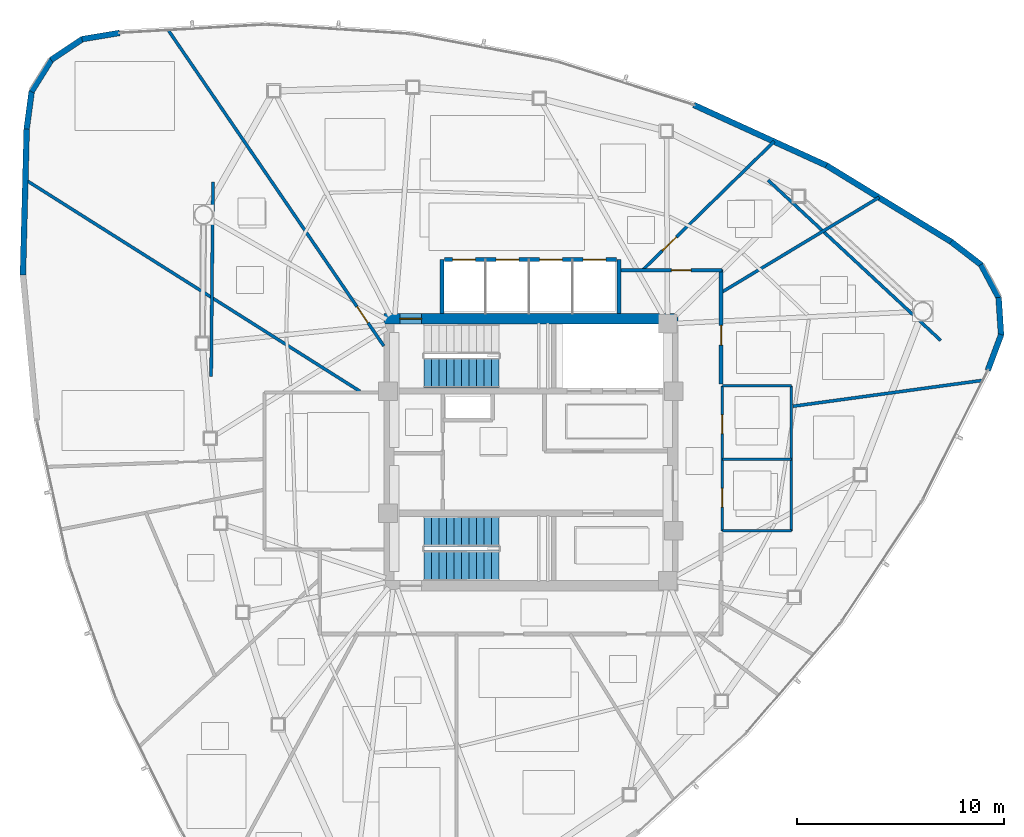
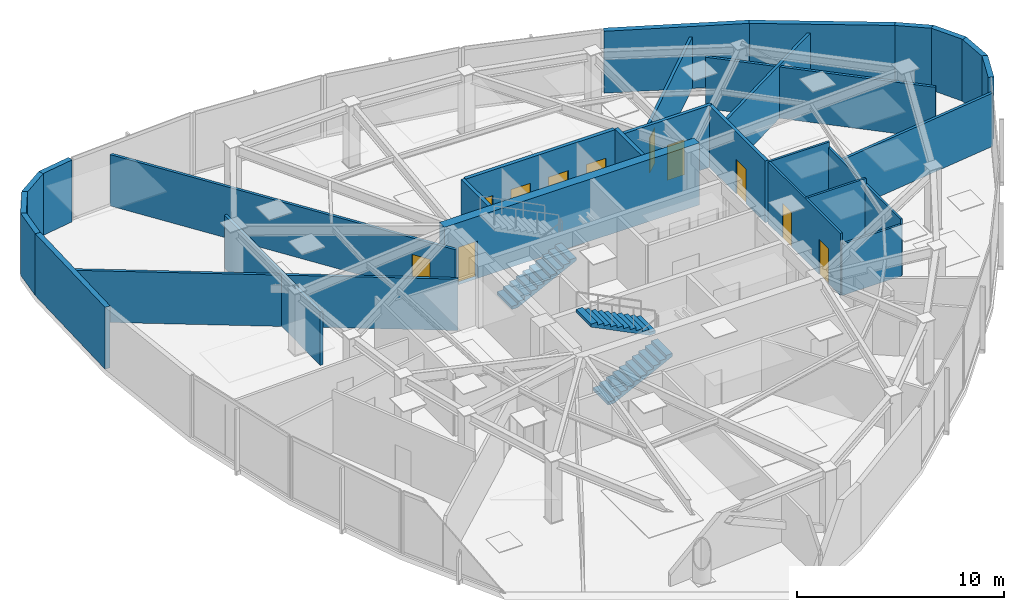
# One storey, part 10 of 14: 29 walls, 11 doors, 3 stair flights, 11 openings, 2 elements without a shape of their own.
"""IFC4 building model written with IfcOpenShell, lengths in metres."""

from ifc_helpers import new_model, si_unit, direction, frame, frame_2d, origin, place, context, subcontext, project, spatial, polyline, rectangle, outline, extrude, material, layer, layer_set, type_object, element, fill, aggregate, save


model = new_model("IFC4")

# Units and contexts
model_context = context("Model", 3, precision=1e-05, world=origin(), true_north=direction((0.0, 1.0)))
body_context = subcontext(model_context, "Body", "Model", "MODEL_VIEW")
ifc_project = project(units=[si_unit("LENGTHUNIT", "METRE"), si_unit("AREAUNIT", "SQUARE_METRE"), si_unit("VOLUMEUNIT", "CUBIC_METRE"), si_unit("PLANEANGLEUNIT", "RADIAN"), si_unit("MASSUNIT", "GRAM", prefix="KILO")], contexts=[model_context])

# Site, building, storey
site_placement = place(None, origin())
site = spatial("IfcSite", under=ifc_project, at=site_placement, CompositionType="ELEMENT")
building_placement = place(site_placement, origin())
building = spatial("IfcBuilding", under=site, at=building_placement, Name="Tavelor Broadcast Tower", CompositionType="ELEMENT")
storey_placement = place(building_placement, frame((0.0, 0.0, 234.0)))
storey = spatial("IfcBuildingStorey", under=building, at=storey_placement, Name="L55", CompositionType="ELEMENT", Elevation=234.0)

# Wall, opening, door
ifc_material_1 = material(Name="Concrete C50/60", Category="concrete")
ifc_layer_1 = layer(ifc_material_1, 0.5)
ifc_layer_set_1 = layer_set([ifc_layer_1], Name="Concrete C50/60")
wall_type_1 = type_object("IfcWallType", Name="Core Shear Wall 500 mm", PredefinedType="SHEAR", material=ifc_layer_set_1)
wall_1_placement = place(storey_placement, frame((42.89990234375, 51.449951171875, 0.0), z_axis=(0.0, 0.0, 1.0), x_axis=(1.0, 0.0, 0.0)))
wall_1 = element("IfcWall", 1, at=wall_1_placement, inside=storey, type_object=wall_type_1, Name="L55 Central Core Shear Wall N", PredefinedType="SHEAR", context=body_context, shape_type="SweptSolid", body=[
    extrude(rectangle(XDim=14.2001953125, YDim=0.5, at=frame_2d((7.10009765625, 0.0))), origin(), (0.0, 0.0, 1.0), 3.64990234375),
])
opening_1_placement = place(wall_1_placement, frame((0.780029296875, 0.0, 0.0)))
opening_1 = element("IfcOpeningElement", 2, at=opening_1_placement, cuts=wall_1, Name="Opening DR11", PredefinedType="OPENING", context=body_context, shape_type="SweptSolid", body=[
    extrude(rectangle(XDim=1.050048828125, YDim=2.199951171875, at=frame_2d((0.52490234375, 1.10009765625))), frame((0.0, 0.260009765625, 0.0), z_axis=(0.0, -1.0, 0.0), x_axis=(1.0, 0.0, 0.0)), (0.0, 0.0, 1.0), 0.52001953125),
])
ifc_material_2 = material(Name="Steel S355", Category="steel")
door_type_1 = type_object("IfcDoorType", Name="Stair Core Fire Escape Door 1050x2200", OperationType="NOTDEFINED", PredefinedType="DOOR", material=ifc_material_2)
door_1_placement = place(opening_1_placement, origin())
door_1 = element("IfcDoor", 3, at=door_1_placement, inside=storey, type_object=door_type_1, Name="L55 Stair ST1 Protected Exit Door", OperationType="SINGLE_SWING_LEFT", OverallHeight=2.199951171875, OverallWidth=1.050048828125, PredefinedType="DOOR", context=body_context, shape_type="SweptSolid", body=[
    extrude(rectangle(XDim=1.050048828125, YDim=2.199951171875, at=frame_2d((0.52490234375, 1.10009765625))), frame((0.0, 0.02490234375, 0.0), z_axis=(0.0, -1.0, 0.0), x_axis=(1.0, 0.0, 0.0)), (0.0, 0.0, 1.0), 0.050048828125),
])
fill(opening_1, door_1)

ifc_material_3 = material(Name="Calcium Silicate Fire Board 180 mm", Category="gypsum")
ifc_layer_2 = layer(ifc_material_3, 0.179931640625)
ifc_layer_set_2 = layer_set([ifc_layer_2], Name="Calcium Silicate Fire Board 180 mm")
wall_type_2 = type_object("IfcWallType", Name="Fire-Rated Corridor Partition Wall 180 mm", PredefinedType="PARTITIONING", material=ifc_layer_set_2)
wall_2_placement = place(storey_placement, frame((54.300048828125, 53.780029296875, 0.0), z_axis=(0.0, 0.0, 1.0), x_axis=(1.0, 0.0, 0.0)))
wall_2 = element("IfcWall", 4, at=wall_2_placement, inside=storey, type_object=wall_type_2, Name="L55 Corridor Compartment Wall 01", PredefinedType="PARTITIONING", context=body_context, shape_type="SweptSolid", body=[
    extrude(rectangle(XDim=4.929931640625, YDim=0.179931640625, at=frame_2d((2.46484375, 0.0))), origin(), (0.0, 0.0, 1.0), 3.64990234375),
])
opening_2_placement = place(wall_2_placement, frame((2.486083984375, 0.0, 0.0)))
opening_2 = element("IfcOpeningElement", 5, at=opening_2_placement, cuts=wall_2, Name="Opening DR18", PredefinedType="OPENING", context=body_context, shape_type="SweptSolid", body=[
    extrude(rectangle(XDim=0.949951171875, YDim=2.050048828125, at=frame_2d((0.47509765625, 1.02490234375))), frame((0.0, 0.10009765625, 0.0), z_axis=(0.0, -1.0, 0.0), x_axis=(1.0, 0.0, 0.0)), (0.0, 0.0, 1.0), 0.199951171875),
])
ifc_material_4 = material(Name="Timber Solid Core Hardwood", Category="wood")
door_type_2 = type_object("IfcDoorType", Name="Corridor Rated Compartment Door 950x2050", OperationType="NOTDEFINED", PredefinedType="DOOR", material=ifc_material_4)
door_2_placement = place(opening_2_placement, origin())
door_2 = element("IfcDoor", 6, at=door_2_placement, inside=storey, type_object=door_type_2, Name="L55 Broadcast Craft Workshop Door R9", OperationType="SINGLE_SWING_RIGHT", OverallHeight=2.050048828125, OverallWidth=0.949951171875, PredefinedType="DOOR", context=body_context, shape_type="SweptSolid", body=[
    extrude(rectangle(XDim=0.949951171875, YDim=2.050048828125, at=frame_2d((0.47509765625, 1.02490234375))), frame((0.0, 0.02490234375, 0.0), z_axis=(0.0, -1.0, 0.0), x_axis=(1.0, 0.0, 0.0)), (0.0, 0.0, 1.0), 0.050048828125),
])
fill(opening_2, door_2)

wall_3_placement = place(storey_placement, frame((59.179931640625, 53.830078125, 0.0), z_axis=(0.0, 0.0, 1.0), x_axis=(0.0, -1.0, 0.0)))
wall_3 = element("IfcWall", 7, at=wall_3_placement, inside=storey, type_object=wall_type_2, Name="L55 Corridor Compartment Wall 02", PredefinedType="PARTITIONING", context=body_context, shape_type="SweptSolid", body=[
    extrude(rectangle(XDim=5.530029296875, YDim=0.179931640625, at=frame_2d((2.76513671875, 0.0))), origin(), (0.0, 0.0, 1.0), 3.64990234375),
])
opening_3_placement = place(wall_3_placement, frame((2.708984375, 0.0, 0.0)))
opening_3 = element("IfcOpeningElement", 8, at=opening_3_placement, cuts=wall_3, Name="Opening DR18", PredefinedType="OPENING", context=body_context, shape_type="SweptSolid", body=[
    extrude(rectangle(XDim=0.949951171875, YDim=2.050048828125, at=frame_2d((0.47509765625, 1.02490234375))), frame((0.0, 0.10009765625, 0.0), z_axis=(0.0, -1.0, 0.0), x_axis=(1.0, 0.0, 0.0)), (0.0, 0.0, 1.0), 0.199951171875),
])
door_3_placement = place(opening_3_placement, origin())
door_3 = element("IfcDoor", 9, at=door_3_placement, inside=storey, type_object=door_type_2, Name="L55 Master Control Room Door R10", OperationType="SINGLE_SWING_LEFT", OverallHeight=2.050048828125, OverallWidth=0.949951171875, PredefinedType="DOOR", context=body_context, shape_type="SweptSolid", body=[
    extrude(rectangle(XDim=0.949951171875, YDim=2.050048828125, at=frame_2d((0.47509765625, 1.02490234375))), frame((0.0, 0.02490234375, 0.0), z_axis=(0.0, -1.0, 0.0), x_axis=(1.0, 0.0, 0.0)), (0.0, 0.0, 1.0), 0.050048828125),
])
fill(opening_3, door_3)

# Walls
ifc_material_5 = material(Name="Precast Concrete C40/50", Category="concrete")
ifc_layer_3 = layer(ifc_material_5, 0.280029296875)
ifc_layer_set_3 = layer_set([ifc_layer_3], Name="Precast Concrete C40/50")
wall_type_3 = type_object("IfcWallType", Name="Insulated Precast Terracotta Facade Wall 280 mm", PredefinedType="STANDARD", material=ifc_layer_set_3)
wall_4_placement = place(storey_placement, frame((30.142333984375, 65.24267578125, 0.0), z_axis=(0.0, 0.0, 1.0), x_axis=(-0.986433381576, -0.164162065387, 0.0)))
element("IfcWall", 10, at=wall_4_placement, inside=storey, type_object=wall_type_3, Name="L55 Rounded Corner Structural Cladding Pier 01", PredefinedType="STANDARD", context=body_context, shape_type="SweptSolid", body=[
    extrude(rectangle(XDim=1.838134765625, YDim=0.280029296875, at=frame_2d((0.9189453125, 0.0))), origin(), (0.0, 0.0, 1.0), 3.64990234375),
])
wall_5_placement = place(storey_placement, frame((28.3564453125, 64.95166015625, 0.0), z_axis=(0.0, 0.0, 1.0), x_axis=(-0.831453516866, -0.555594320787, 0.0)))
element("IfcWall", 11, at=wall_5_placement, inside=storey, type_object=wall_type_3, Name="L55 Rounded Corner Structural Cladding Pier 02", PredefinedType="STANDARD", context=body_context, shape_type="SweptSolid", body=[
    extrude(rectangle(XDim=1.82666015625, YDim=0.280029296875, at=frame_2d((0.913330078125, 0.0))), origin(), (0.0, 0.0, 1.0), 3.64990234375),
])
wall_6_placement = place(storey_placement, frame((26.858154296875, 63.9580078125, 0.0), z_axis=(0.0, 0.0, 1.0), x_axis=(-0.529217892195, -0.848485958977, 0.0)))
element("IfcWall", 12, at=wall_6_placement, inside=storey, type_object=wall_type_3, Name="L55 Rounded Corner Structural Cladding Pier 03", PredefinedType="STANDARD", context=body_context, shape_type="SweptSolid", body=[
    extrude(rectangle(XDim=1.826904296875, YDim=0.280029296875, at=frame_2d((0.91357421875, 0.0))), origin(), (0.0, 0.0, 1.0), 3.64990234375),
])
wall_7_placement = place(storey_placement, frame((25.9013671875, 62.435546875, 0.0), z_axis=(0.0, 0.0, 1.0), x_axis=(-0.133080337768, -0.991105253593, 0.0)))
element("IfcWall", 13, at=wall_7_placement, inside=storey, type_object=wall_type_3, Name="L55 Rounded Corner Structural Cladding Pier 04", PredefinedType="STANDARD", context=body_context, shape_type="SweptSolid", body=[
    extrude(rectangle(XDim=1.84912109375, YDim=0.280029296875, at=frame_2d((0.924560546875, 0.0))), origin(), (0.0, 0.0, 1.0), 3.64990234375),
])
wall_8_placement = place(storey_placement, frame((25.657470703125, 60.6328125, 0.0), z_axis=(0.0, 0.0, 1.0), x_axis=(-0.025750966809, -0.999668388871, 0.0)))
element("IfcWall", 14, at=wall_8_placement, inside=storey, type_object=wall_type_3, Name="L55 Rounded Corner Structural Cladding Pier 05", PredefinedType="STANDARD", context=body_context, shape_type="SweptSolid", body=[
    extrude(rectangle(XDim=7.082275390625, YDim=0.280029296875, at=frame_2d((3.541015625, 0.0))), origin(), (0.0, 0.0, 1.0), 3.64990234375),
])
wall_9_placement = place(storey_placement, frame((72.0595703125, 48.958251953125, 0.0), z_axis=(0.0, 0.0, 1.0), x_axis=(0.350919649294, 0.936405574385, 0.0)))
element("IfcWall", 15, at=wall_9_placement, inside=storey, type_object=wall_type_3, Name="L55 Rounded Corner Structural Cladding Pier 21", PredefinedType="STANDARD", context=body_context, shape_type="SweptSolid", body=[
    extrude(rectangle(XDim=1.838134765625, YDim=0.280029296875, at=frame_2d((0.9189453125, 0.0))), origin(), (0.0, 0.0, 1.0), 3.64990234375),
])
for number, where, z_axis, x_axis, name in (
    (16, (72.700439453125, 50.650390625, 0.0), (0.0, 0.0, 1.0), (-0.065356883892, 0.997861953242, 0.0), "L55 Rounded Corner Structural Cladding Pier 22"),
    (17, (72.589111328125, 52.44482421875, 0.0), (0.0, 0.0, 1.0), (-0.470317674065, 0.882497187226, 0.0), "L55 Rounded Corner Structural Cladding Pier 23"),
):
    element("IfcWall", number, at=place(storey_placement, frame(where, z_axis=z_axis, x_axis=x_axis)), inside=storey, type_object=wall_type_3, Name=name, PredefinedType="STANDARD", context=body_context, shape_type="SweptSolid", body=[
        extrude(rectangle(XDim=1.82666015625, YDim=0.280029296875, at=frame_2d((0.913330078125, 0.0))), origin(), (0.0, 0.0, 1.0), 3.64990234375),
    ])
wall_10_placement = place(storey_placement, frame((71.7490234375, 54.03466796875, 0.0), z_axis=(0.0, 0.0, 1.0), x_axis=(-0.791798674872, 0.610782169411, 0.0)))
element("IfcWall", 18, at=wall_10_placement, inside=storey, type_object=wall_type_3, Name="L55 Rounded Corner Structural Cladding Pier 24", PredefinedType="STANDARD", context=body_context, shape_type="SweptSolid", body=[
    extrude(rectangle(XDim=1.84912109375, YDim=0.280029296875, at=frame_2d((0.924560546875, 0.0))), origin(), (0.0, 0.0, 1.0), 3.64990234375),
])
wall_11_placement = place(storey_placement, frame((70.3095703125, 55.147216796875, 0.0), z_axis=(0.0, 0.0, 1.0), x_axis=(-0.852865715429, 0.522130320367, 0.0)))
element("IfcWall", 19, at=wall_11_placement, inside=storey, type_object=wall_type_3, Name="L55 Rounded Corner Structural Cladding Pier 25", PredefinedType="STANDARD", context=body_context, shape_type="SweptSolid", body=[
    extrude(rectangle(XDim=7.08203125, YDim=0.280029296875, at=frame_2d((3.541015625, 0.0))), origin(), (0.0, 0.0, 1.0), 3.64990234375),
])
wall_12_placement = place(storey_placement, frame((64.2958984375, 58.830810546875, 0.0), z_axis=(0.0, 0.0, 1.0), x_axis=(-0.909767114369, 0.415119016202, 0.0)))
element("IfcWall", 20, at=wall_12_placement, inside=storey, type_object=wall_type_3, Name="L55 Rounded Corner Structural Cladding Pier 26", PredefinedType="STANDARD", context=body_context, shape_type="SweptSolid", body=[
    extrude(rectangle(XDim=7.06982421875, YDim=0.280029296875, at=frame_2d((3.534912109375, 0.0))), origin(), (0.0, 0.0, 1.0), 3.64990234375),
])
ifc_material_6 = material(Name="Gypsum Acoustic Plasterboard 150 mm", Category="gypsum")
ifc_layer_4 = layer(ifc_material_6, 0.14990234375)
ifc_layer_set_4 = layer_set([ifc_layer_4], Name="Gypsum Acoustic Plasterboard 150 mm")
wall_type_4 = type_object("IfcWallType", Name="Interior Acoustic Partition Wall 150 mm", PredefinedType="PARTITIONING", material=ifc_layer_set_4)
wall_13_placement = place(storey_placement, frame((34.651611328125, 58.0556640625, 0.0), z_axis=(0.0, 0.0, 1.0), x_axis=(-0.009553538759, -0.999954363907, 0.0)))
element("IfcWall", 21, at=wall_13_placement, inside=storey, type_object=wall_type_4, Name="L55 Corner Tube Brace Furring Wall 1", PredefinedType="PARTITIONING", context=body_context, shape_type="SweptSolid", body=[
    extrude(rectangle(XDim=9.404296875, YDim=0.14990234375, at=frame_2d((4.7021484375, 0.0))), origin(), (0.0, 0.0, 1.0), 3.135009765625),
])
wall_14_placement = place(storey_placement, frame((69.79248046875, 50.387939453125, 0.0), z_axis=(0.0, 0.0, 1.0), x_axis=(-0.732769799181, 0.680476613418, 0.0)))
element("IfcWall", 22, at=wall_14_placement, inside=storey, type_object=wall_type_4, Name="L55 Corner Tube Brace Furring Wall 3", PredefinedType="PARTITIONING", context=body_context, shape_type="SweptSolid", body=[
    extrude(rectangle(XDim=11.377685546875, YDim=0.14990234375, at=frame_2d((5.68896484375, 0.0))), origin(), (0.0, 0.0, 1.0), 3.02490234375),
])
wall_15_placement = place(storey_placement, frame((62.64990234375, 47.2177734375, 0.0), z_axis=(0.0, 0.0, 1.0), x_axis=(0.990813956158, 0.135232038669, 0.0)))
element("IfcWall", 23, at=wall_15_placement, inside=storey, type_object=wall_type_4, Name="L55 Radial Compartment Wall 03", PredefinedType="PARTITIONING", context=body_context, shape_type="SweptSolid", body=[
    extrude(rectangle(XDim=9.259521484375, YDim=0.14990234375, at=frame_2d((4.6298828125, 0.0))), origin(), (0.0, 0.0, 1.0), 3.135009765625),
])
wall_16_placement = place(storey_placement, frame((59.179931640625, 52.70263671875, 0.0), z_axis=(0.0, 0.0, 1.0), x_axis=(0.856461134402, 0.516211512134, 0.0)))
element("IfcWall", 24, at=wall_16_placement, inside=storey, type_object=wall_type_4, Name="L55 Radial Compartment Wall 04", PredefinedType="PARTITIONING", context=body_context, shape_type="SweptSolid", body=[
    extrude(rectangle(XDim=8.908935546875, YDim=0.14990234375, at=frame_2d((4.45458984375, 0.0))), origin(), (0.0, 0.0, 1.0), 3.135009765625),
])

# Wall, opening, door
wall_17_placement = place(storey_placement, frame((55.3798828125, 53.780029296875, 0.0), z_axis=(0.0, 0.0, 1.0), x_axis=(0.715013369529, 0.699110779057, 0.0)))
wall_17 = element("IfcWall", 25, at=wall_17_placement, inside=storey, type_object=wall_type_4, Name="L55 Radial Compartment Wall 05", PredefinedType="PARTITIONING", context=body_context, shape_type="SweptSolid", body=[
    extrude(rectangle(XDim=8.904296875, YDim=0.14990234375, at=frame_2d((4.4521484375, 0.0))), origin(), (0.0, 0.0, 1.0), 3.02490234375),
])
opening_4_placement = place(wall_17_placement, frame((1.35009765625, 0.0, 0.0)))
opening_4 = element("IfcOpeningElement", 26, at=opening_4_placement, cuts=wall_17, Name="Opening DR18", PredefinedType="OPENING", context=body_context, shape_type="SweptSolid", body=[
    extrude(rectangle(XDim=0.949951171875, YDim=2.050048828125, at=frame_2d((0.47509765625, 1.02490234375))), frame((0.0, 0.0849609375, 0.0), z_axis=(0.0, -1.0, 0.0), x_axis=(1.0, 0.0, 0.0)), (0.0, 0.0, 1.0), 0.169921875),
])
door_4_placement = place(opening_4_placement, origin())
door_4 = element("IfcDoor", 27, at=door_4_placement, inside=storey, type_object=door_type_2, Name="L55 Suite Connecting Door 8", OperationType="SINGLE_SWING_RIGHT", OverallHeight=2.050048828125, OverallWidth=0.949951171875, PredefinedType="DOOR", context=body_context, shape_type="SweptSolid", body=[
    extrude(rectangle(XDim=0.949951171875, YDim=2.050048828125, at=frame_2d((0.47509765625, 1.02490234375))), frame((0.0, 0.02490234375, 0.0), z_axis=(0.0, -1.0, 0.0), x_axis=(1.0, 0.0, 0.0)), (0.0, 0.0, 1.0), 0.050048828125),
])
fill(opening_4, door_4)

wall_18_placement = place(storey_placement, frame((42.89990234375, 50.1279296875, 0.0), z_axis=(0.0, 0.0, 1.0), x_axis=(-0.563743135146, 0.825950166521, 0.0)))
wall_18 = element("IfcWall", 28, at=wall_18_placement, inside=storey, type_object=wall_type_4, Name="L55 Radial Compartment Wall 06", PredefinedType="PARTITIONING", context=body_context, shape_type="SweptSolid", body=[
    extrude(rectangle(XDim=18.473876953125, YDim=0.14990234375, at=frame_2d((9.23681640625, 0.0))), origin(), (0.0, 0.0, 1.0), 3.02490234375),
])
opening_5_placement = place(wall_18_placement, frame((1.35009765625, 0.0, 0.0)))
opening_5 = element("IfcOpeningElement", 29, at=opening_5_placement, cuts=wall_18, Name="Opening DR18", PredefinedType="OPENING", context=body_context, shape_type="SweptSolid", body=[
    extrude(rectangle(XDim=0.949951171875, YDim=2.050048828125, at=frame_2d((0.47509765625, 1.02490234375))), frame((0.0, 0.0849609375, 0.0), z_axis=(0.0, -1.0, 0.0), x_axis=(1.0, 0.0, 0.0)), (0.0, 0.0, 1.0), 0.169921875),
])
door_5_placement = place(opening_5_placement, origin())
door_5 = element("IfcDoor", 30, at=door_5_placement, inside=storey, type_object=door_type_2, Name="L55 Suite Connecting Door 7", OperationType="SINGLE_SWING_LEFT", OverallHeight=2.050048828125, OverallWidth=0.949951171875, PredefinedType="DOOR", context=body_context, shape_type="SweptSolid", body=[
    extrude(rectangle(XDim=0.949951171875, YDim=2.050048828125, at=frame_2d((0.47509765625, 1.02490234375))), frame((0.0, 0.02490234375, 0.0), z_axis=(0.0, -1.0, 0.0), x_axis=(1.0, 0.0, 0.0)), (0.0, 0.0, 1.0), 0.050048828125),
])
fill(opening_5, door_5)

# Wall
wall_19_placement = place(storey_placement, frame((41.750244140625, 47.93994140625, 0.0), z_axis=(0.0, 0.0, 1.0), x_axis=(-0.845213688559, 0.534428499121, 0.0)))
element("IfcWall", 31, at=wall_19_placement, inside=storey, type_object=wall_type_4, Name="L55 Radial Compartment Wall 07", PredefinedType="PARTITIONING", context=body_context, shape_type="SweptSolid", body=[
    extrude(rectangle(XDim=19.126953125, YDim=0.14990234375, at=frame_2d((9.5634765625, 0.0))), origin(), (0.0, 0.0, 1.0), 3.02490234375),
])

# Wall, openings, doors
ifc_material_7 = material(Name="Concrete Blockwork 200 mm", Category="masonry")
ifc_layer_5 = layer(ifc_material_7, 0.199951171875)
ifc_layer_set_5 = layer_set([ifc_layer_5], Name="Concrete Blockwork 200 mm")
wall_type_5 = type_object("IfcWallType", Name="Lift Hoistway Rated Front Wall 200 mm", PredefinedType="PARTITIONING", material=ifc_layer_set_5)
wall_20_placement = place(storey_placement, frame((45.820068359375, 54.300048828125, 0.0), z_axis=(0.0, 0.0, 1.0), x_axis=(1.0, 0.0, 0.0)))
wall_20 = element("IfcWall", 32, at=wall_20_placement, inside=storey, type_object=wall_type_5, Name="L55 High-Rise Lift Hoistway Front Wall", PredefinedType="PARTITIONING", context=body_context, shape_type="SweptSolid", body=[
    extrude(rectangle(XDim=8.309814453125, YDim=0.199951171875, at=frame_2d((4.15478515625, 0.0))), origin(), (0.0, 0.0, 1.0), 3.64990234375),
])
opening_6_placement = place(wall_20_placement, frame((0.405029296875, 0.0, 0.0)))
opening_6 = element("IfcOpeningElement", 33, at=opening_6_placement, cuts=wall_20, Name="Opening LD01", PredefinedType="OPENING", context=body_context, shape_type="SweptSolid", body=[
    extrude(rectangle(XDim=1.10009765625, YDim=2.14990234375, at=frame_2d((0.550048828125, 1.074951171875))), frame((0.0, 0.10986328125, 0.0), z_axis=(0.0, -1.0, 0.0), x_axis=(1.0, 0.0, 0.0)), (0.0, 0.0, 1.0), 0.219970703125),
])
opening_7_placement = place(wall_20_placement, frame((2.5048828125, 0.0, 0.0)))
opening_7 = element("IfcOpeningElement", 34, at=opening_7_placement, cuts=wall_20, Name="Opening LD01", PredefinedType="OPENING", context=body_context, shape_type="SweptSolid", body=[
    extrude(rectangle(XDim=1.10009765625, YDim=2.14990234375, at=frame_2d((0.550048828125, 1.074951171875))), frame((0.0, 0.10986328125, 0.0), z_axis=(0.0, -1.0, 0.0), x_axis=(1.0, 0.0, 0.0)), (0.0, 0.0, 1.0), 0.219970703125),
])
opening_8_placement = place(wall_20_placement, frame((4.60498046875, 0.0, 0.0)))
opening_8 = element("IfcOpeningElement", 35, at=opening_8_placement, cuts=wall_20, Name="Opening LD01", PredefinedType="OPENING", context=body_context, shape_type="SweptSolid", body=[
    extrude(rectangle(XDim=1.10009765625, YDim=2.14990234375, at=frame_2d((0.550048828125, 1.074951171875))), frame((0.0, 0.10986328125, 0.0), z_axis=(0.0, -1.0, 0.0), x_axis=(1.0, 0.0, 0.0)), (0.0, 0.0, 1.0), 0.219970703125),
])
opening_9_placement = place(wall_20_placement, frame((6.705078125, 0.0, 0.0)))
opening_9 = element("IfcOpeningElement", 36, at=opening_9_placement, cuts=wall_20, Name="Opening LD01", PredefinedType="OPENING", context=body_context, shape_type="SweptSolid", body=[
    extrude(rectangle(XDim=1.10009765625, YDim=2.14990234375, at=frame_2d((0.550048828125, 1.074951171875))), frame((0.0, 0.10986328125, 0.0), z_axis=(0.0, -1.0, 0.0), x_axis=(1.0, 0.0, 0.0)), (0.0, 0.0, 1.0), 0.219970703125),
])
ifc_material_8 = material(Name="Brushed Stainless Steel", Category="steel")
door_type_3 = type_object("IfcDoorType", Name="Passenger Lift Sliding Landing Door 1100x2150", OperationType="NOTDEFINED", PredefinedType="DOOR", material=ifc_material_8)
door_6_placement = place(opening_6_placement, origin())
door_6 = element("IfcDoor", 37, at=door_6_placement, inside=storey, type_object=door_type_3, Name="L55 Lift PLH1 Sliding Landing Door", OperationType="SLIDING_TO_LEFT", OverallHeight=2.14990234375, OverallWidth=1.10009765625, PredefinedType="DOOR", context=body_context, shape_type="SweptSolid", body=[
    extrude(rectangle(XDim=1.10009765625, YDim=2.14990234375, at=frame_2d((0.550048828125, 1.074951171875))), frame((0.0, 0.02490234375, 0.0), z_axis=(0.0, -1.0, 0.0), x_axis=(1.0, 0.0, 0.0)), (0.0, 0.0, 1.0), 0.050048828125),
])
fill(opening_6, door_6)
door_7_placement = place(opening_7_placement, origin())
door_7 = element("IfcDoor", 38, at=door_7_placement, inside=storey, type_object=door_type_3, Name="L55 Lift PLH2 Sliding Landing Door", OperationType="SLIDING_TO_RIGHT", OverallHeight=2.14990234375, OverallWidth=1.10009765625, PredefinedType="DOOR", context=body_context, shape_type="SweptSolid", body=[
    extrude(rectangle(XDim=1.10009765625, YDim=2.14990234375, at=frame_2d((0.550048828125, 1.074951171875))), frame((0.0, 0.02490234375, 0.0), z_axis=(0.0, -1.0, 0.0), x_axis=(1.0, 0.0, 0.0)), (0.0, 0.0, 1.0), 0.050048828125),
])
fill(opening_7, door_7)
door_8_placement = place(opening_8_placement, origin())
door_8 = element("IfcDoor", 39, at=door_8_placement, inside=storey, type_object=door_type_3, Name="L55 Lift PLH3 Sliding Landing Door", OperationType="SLIDING_TO_LEFT", OverallHeight=2.14990234375, OverallWidth=1.10009765625, PredefinedType="DOOR", context=body_context, shape_type="SweptSolid", body=[
    extrude(rectangle(XDim=1.10009765625, YDim=2.14990234375, at=frame_2d((0.550048828125, 1.074951171875))), frame((0.0, 0.02490234375, 0.0), z_axis=(0.0, -1.0, 0.0), x_axis=(1.0, 0.0, 0.0)), (0.0, 0.0, 1.0), 0.050048828125),
])
fill(opening_8, door_8)
door_9_placement = place(opening_9_placement, origin())
door_9 = element("IfcDoor", 40, at=door_9_placement, inside=storey, type_object=door_type_3, Name="L55 Lift PLH4 Sliding Landing Door", OperationType="SLIDING_TO_RIGHT", OverallHeight=2.14990234375, OverallWidth=1.10009765625, PredefinedType="DOOR", context=body_context, shape_type="SweptSolid", body=[
    extrude(rectangle(XDim=1.10009765625, YDim=2.14990234375, at=frame_2d((0.550048828125, 1.074951171875))), frame((0.0, 0.02490234375, 0.0), z_axis=(0.0, -1.0, 0.0), x_axis=(1.0, 0.0, 0.0)), (0.0, 0.0, 1.0), 0.050048828125),
])
fill(opening_9, door_9)

# Walls
ifc_layer_6 = layer(ifc_material_7, 0.199951171875)
ifc_layer_set_6 = layer_set([ifc_layer_6], Name="Concrete Blockwork 200 mm")
wall_type_6 = type_object("IfcWallType", Name="Lift and Riser Shaft Enclosure Wall 200 mm", PredefinedType="PARTITIONING", material=ifc_layer_set_6)
for number, where, z_axis, x_axis, name in (
    (41, (45.699951171875, 51.699951171875, 0.0), (0.0, 0.0, 1.0), (0.0, 1.0, 0.0), "L55 High-Rise Lift Shaft West Wall"),
    (42, (54.25, 51.699951171875, 0.0), (0.0, 0.0, 1.0), (0.0, 1.0, 0.0), "L55 High-Rise Lift Shaft East Wall"),
):
    element("IfcWall", number, at=place(storey_placement, frame(where, z_axis=z_axis, x_axis=x_axis)), inside=storey, type_object=wall_type_6, Name=name, PredefinedType="PARTITIONING", context=body_context, shape_type="SweptSolid", body=[
        extrude(rectangle(XDim=2.60009765625, YDim=0.199951171875, at=frame_2d((1.300048828125, 0.0))), origin(), (0.0, 0.0, 1.0), 3.64990234375),
    ])

# Wall, openings, doors
ifc_material_9 = material(Name="Moisture-Resistant Plasterboard 120 mm", Category="gypsum")
ifc_layer_7 = layer(ifc_material_9, 0.1201171875)
ifc_layer_set_7 = layer_set([ifc_layer_7], Name="Moisture-Resistant Plasterboard 120 mm")
wall_type_7 = type_object("IfcWallType", Name="Moisture-Resistant Wet-Room Partition 120 mm", PredefinedType="PARTITIONING", material=ifc_layer_set_7)
wall_21_placement = place(storey_placement, frame((59.239990234375, 41.199951171875, 0.0), z_axis=(0.0, 0.0, 1.0), x_axis=(0.0, 1.0, 0.0)))
wall_21 = element("IfcWall", 43, at=wall_21_placement, inside=storey, type_object=wall_type_7, Name="L55 Floor Washrooms West Wall", PredefinedType="PARTITIONING", context=body_context, shape_type="SweptSolid", body=[
    extrude(rectangle(XDim=7.0, YDim=0.1201171875, at=frame_2d((3.5, 0.0))), origin(), (0.0, 0.0, 1.0), 3.64990234375),
])
opening_10_placement = place(wall_21_placement, frame((1.14990234375, 0.0, 0.0)))
opening_10 = element("IfcOpeningElement", 44, at=opening_10_placement, cuts=wall_21, Name="Opening DR32", PredefinedType="OPENING", context=body_context, shape_type="SweptSolid", body=[
    extrude(rectangle(XDim=0.89990234375, YDim=2.050048828125, at=frame_2d((0.449951171875, 1.02490234375))), frame((0.0, 0.070068359375, 0.0), z_axis=(0.0, -1.0, 0.0), x_axis=(1.0, 0.0, 0.0)), (0.0, 0.0, 1.0), 0.14013671875),
])
opening_11_placement = place(wall_21_placement, frame((4.699951171875, 0.0, 0.0)))
opening_11 = element("IfcOpeningElement", 45, at=opening_11_placement, cuts=wall_21, Name="Opening DR32", PredefinedType="OPENING", context=body_context, shape_type="SweptSolid", body=[
    extrude(rectangle(XDim=0.89990234375, YDim=2.050048828125, at=frame_2d((0.449951171875, 1.02490234375))), frame((0.0, 0.070068359375, 0.0), z_axis=(0.0, -1.0, 0.0), x_axis=(1.0, 0.0, 0.0)), (0.0, 0.0, 1.0), 0.14013671875),
])
door_type_4 = type_object("IfcDoorType", Name="Accessible Washroom Door 900x2050", OperationType="NOTDEFINED", PredefinedType="DOOR", material=ifc_material_4)
door_10_placement = place(opening_10_placement, origin())
door_10 = element("IfcDoor", 46, at=door_10_placement, inside=storey, type_object=door_type_4, Name="L55 Accessible WC Door", OperationType="SINGLE_SWING_LEFT", OverallHeight=2.050048828125, OverallWidth=0.89990234375, PredefinedType="DOOR", context=body_context, shape_type="SweptSolid", body=[
    extrude(rectangle(XDim=0.89990234375, YDim=2.050048828125, at=frame_2d((0.449951171875, 1.02490234375))), frame((0.0, 0.02490234375, 0.0), z_axis=(0.0, -1.0, 0.0), x_axis=(1.0, 0.0, 0.0)), (0.0, 0.0, 1.0), 0.050048828125),
])
fill(opening_10, door_10)
door_11_placement = place(opening_11_placement, origin())
door_11 = element("IfcDoor", 47, at=door_11_placement, inside=storey, type_object=door_type_4, Name="L55 Staff Washroom WC Door", OperationType="SINGLE_SWING_RIGHT", OverallHeight=2.050048828125, OverallWidth=0.89990234375, PredefinedType="DOOR", context=body_context, shape_type="SweptSolid", body=[
    extrude(rectangle(XDim=0.89990234375, YDim=2.050048828125, at=frame_2d((0.449951171875, 1.02490234375))), frame((0.0, 0.02490234375, 0.0), z_axis=(0.0, -1.0, 0.0), x_axis=(1.0, 0.0, 0.0)), (0.0, 0.0, 1.0), 0.050048828125),
])
fill(opening_11, door_11)

# Walls
wall_22_placement = place(storey_placement, frame((59.239990234375, 41.199951171875, 0.0), z_axis=(0.0, 0.0, 1.0), x_axis=(1.0, 0.0, 0.0)))
element("IfcWall", 48, at=wall_22_placement, inside=storey, type_object=wall_type_7, Name="L55 Floor Washrooms South Wall", PredefinedType="PARTITIONING", context=body_context, shape_type="SweptSolid", body=[
    extrude(rectangle(XDim=3.340087890625, YDim=0.1201171875, at=frame_2d((1.669921875, 0.0))), origin(), (0.0, 0.0, 1.0), 3.02490234375),
])
for number, where, z_axis, x_axis, name in (
    (49, (59.239990234375, 44.64990234375, 0.0), (0.0, 0.0, 1.0), (1.0, 0.0, 0.0), "L55 Floor Washrooms Divider Wall"),
    (50, (59.239990234375, 48.199951171875, 0.0), (0.0, 0.0, 1.0), (1.0, 0.0, 0.0), "L55 Floor Washrooms North Wall"),
):
    element("IfcWall", number, at=place(storey_placement, frame(where, z_axis=z_axis, x_axis=x_axis)), inside=storey, type_object=wall_type_7, Name=name, PredefinedType="PARTITIONING", context=body_context, shape_type="SweptSolid", body=[
        extrude(rectangle(XDim=3.340087890625, YDim=0.1201171875, at=frame_2d((1.669921875, 0.0))), origin(), (0.0, 0.0, 1.0), 3.64990234375),
    ])
wall_23_placement = place(storey_placement, frame((62.580078125, 41.199951171875, 0.0), z_axis=(0.0, 0.0, 1.0), x_axis=(0.0, 1.0, 0.0)))
element("IfcWall", 51, at=wall_23_placement, inside=storey, type_object=wall_type_7, Name="L55 Floor Washrooms East Wall", PredefinedType="PARTITIONING", context=body_context, shape_type="SweptSolid", body=[
    extrude(rectangle(XDim=7.0, YDim=0.1201171875, at=frame_2d((3.5, 0.0))), origin(), (0.0, 0.0, 1.0), 3.324951171875),
])

# Stair, stair flight
ifc_material_10 = material(Name="Concrete C40/50", Category="concrete")
stair_type = type_object("IfcStairType", Name="Reinforced Concrete Protected Dogleg Stair 1450 mm", PredefinedType="HALF_TURN_STAIR", material=ifc_material_10)
stair_1_placement = place(storey_placement, origin())
stair_1 = element("IfcStair", 52, at=stair_1_placement, inside=storey, type_object=stair_type, Name="L55 Protected Core Exit Stair ST1", PredefinedType="HALF_TURN_STAIR")
stair_flight_type = type_object("IfcStairFlightType", Name="Reinforced Concrete Stair Flight 1450 mm", PredefinedType="STRAIGHT", material=ifc_material_10)
stair_flight_1_placement = place(storey_placement, frame((44.85009765625, 48.824951171875, 0.0), z_axis=(0.0, 0.0, 1.0), x_axis=(1.0, 0.0, 0.0)))
stair_flight_1 = element("IfcStairFlight", 53, at=stair_flight_1_placement, type_object=stair_flight_type, Name="ST1 flight 1", NumberOfRisers=11, NumberOfTreads=10, PredefinedType="STRAIGHT", RiserHeight=0.179545455, TreadLength=0.36, context=body_context, shape_type="SweptSolid", body=[
    extrude(outline(polyline([(0.0, 0.0), (0.0, 0.179443359375), (0.360107421875, 0.179443359375), (0.360107421875, 0.359130859375), (0.719970703125, 0.359130859375), (0.719970703125, 0.53857421875), (1.080078125, 0.53857421875), (1.080078125, 0.71826171875), (1.43994140625, 0.71826171875), (1.43994140625, 0.897705078125), (1.800048828125, 0.897705078125), (1.800048828125, 1.077392578125), (2.159912109375, 1.077392578125), (2.159912109375, 1.2568359375), (2.52001953125, 1.2568359375), (2.52001953125, 1.436279296875), (2.8798828125, 1.436279296875), (2.8798828125, 1.615966796875), (3.239990234375, 1.615966796875), (3.239990234375, 1.79541015625), (3.60009765625, 1.79541015625), (3.60009765625, 1.97509765625), (3.60009765625, 1.6279296875), (0.3359375, 0.0), (0.0, 0.0)])), frame((0.0, 0.72509765625, 0.0), z_axis=(0.0, -1.0, 0.0), x_axis=(1.0, 0.0, 0.0)), (0.0, 0.0, 1.0), 1.449951171875),
])
aggregate(stair_1, [stair_flight_1])

# Stair, stair flights
stair_2_placement = place(storey_placement, origin())
stair_2 = element("IfcStair", 54, at=stair_2_placement, inside=storey, type_object=stair_type, Name="L55 Protected Core Exit Stair ST2", PredefinedType="HALF_TURN_STAIR")
stair_flight_2_placement = place(storey_placement, frame((44.85009765625, 39.52490234375, 0.0), z_axis=(0.0, 0.0, 1.0), x_axis=(1.0, 0.0, 0.0)))
stair_flight_2 = element("IfcStairFlight", 55, at=stair_flight_2_placement, type_object=stair_flight_type, Name="ST2 flight 1", NumberOfRisers=11, NumberOfTreads=10, PredefinedType="STRAIGHT", RiserHeight=0.179545455, TreadLength=0.36, context=body_context, shape_type="SweptSolid", body=[
    extrude(outline(polyline([(0.0, 0.0), (0.0, 0.179443359375), (0.360107421875, 0.179443359375), (0.360107421875, 0.359130859375), (0.719970703125, 0.359130859375), (0.719970703125, 0.53857421875), (1.080078125, 0.53857421875), (1.080078125, 0.71826171875), (1.43994140625, 0.71826171875), (1.43994140625, 0.897705078125), (1.800048828125, 0.897705078125), (1.800048828125, 1.077392578125), (2.159912109375, 1.077392578125), (2.159912109375, 1.2568359375), (2.52001953125, 1.2568359375), (2.52001953125, 1.436279296875), (2.8798828125, 1.436279296875), (2.8798828125, 1.615966796875), (3.239990234375, 1.615966796875), (3.239990234375, 1.79541015625), (3.60009765625, 1.79541015625), (3.60009765625, 1.97509765625), (3.60009765625, 1.6279296875), (0.3359375, 0.0), (0.0, 0.0)])), frame((0.0, 0.72509765625, 0.0), z_axis=(0.0, -1.0, 0.0), x_axis=(1.0, 0.0, 0.0)), (0.0, 0.0, 1.0), 1.449951171875),
])
stair_flight_3_placement = place(storey_placement, frame((48.449951171875, 41.175048828125, 1.97509765625), z_axis=(0.0, 0.0, 1.0), x_axis=(-1.0, 0.0, 0.0)))
stair_flight_3 = element("IfcStairFlight", 56, at=stair_flight_3_placement, type_object=stair_flight_type, Name="ST2 flight 2", NumberOfRisers=11, NumberOfTreads=10, PredefinedType="STRAIGHT", RiserHeight=0.179545455, TreadLength=0.36, context=body_context, shape_type="SweptSolid", body=[
    extrude(outline(polyline([(0.0, 0.0), (0.0, 0.179443359375), (0.360107421875, 0.179443359375), (0.360107421875, 0.359130859375), (0.719970703125, 0.359130859375), (0.719970703125, 0.53857421875), (1.080078125, 0.53857421875), (1.080078125, 0.71826171875), (1.43994140625, 0.71826171875), (1.43994140625, 0.897705078125), (1.800048828125, 0.897705078125), (1.800048828125, 1.077392578125), (2.159912109375, 1.077392578125), (2.159912109375, 1.2568359375), (2.52001953125, 1.2568359375), (2.52001953125, 1.436279296875), (2.8798828125, 1.436279296875), (2.8798828125, 1.615966796875), (3.239990234375, 1.615966796875), (3.239990234375, 1.79541015625), (3.60009765625, 1.79541015625), (3.60009765625, 1.97509765625), (3.60009765625, 1.6279296875), (0.3359375, 0.0), (0.0, 0.0)])), frame((0.0, 0.72509765625, 0.0), z_axis=(0.0, -1.0, 0.0), x_axis=(1.0, 0.0, 0.0)), (0.0, 0.0, 1.0), 1.449951171875),
])
aggregate(stair_2, [stair_flight_2, stair_flight_3])

save(model, "model.ifc")
